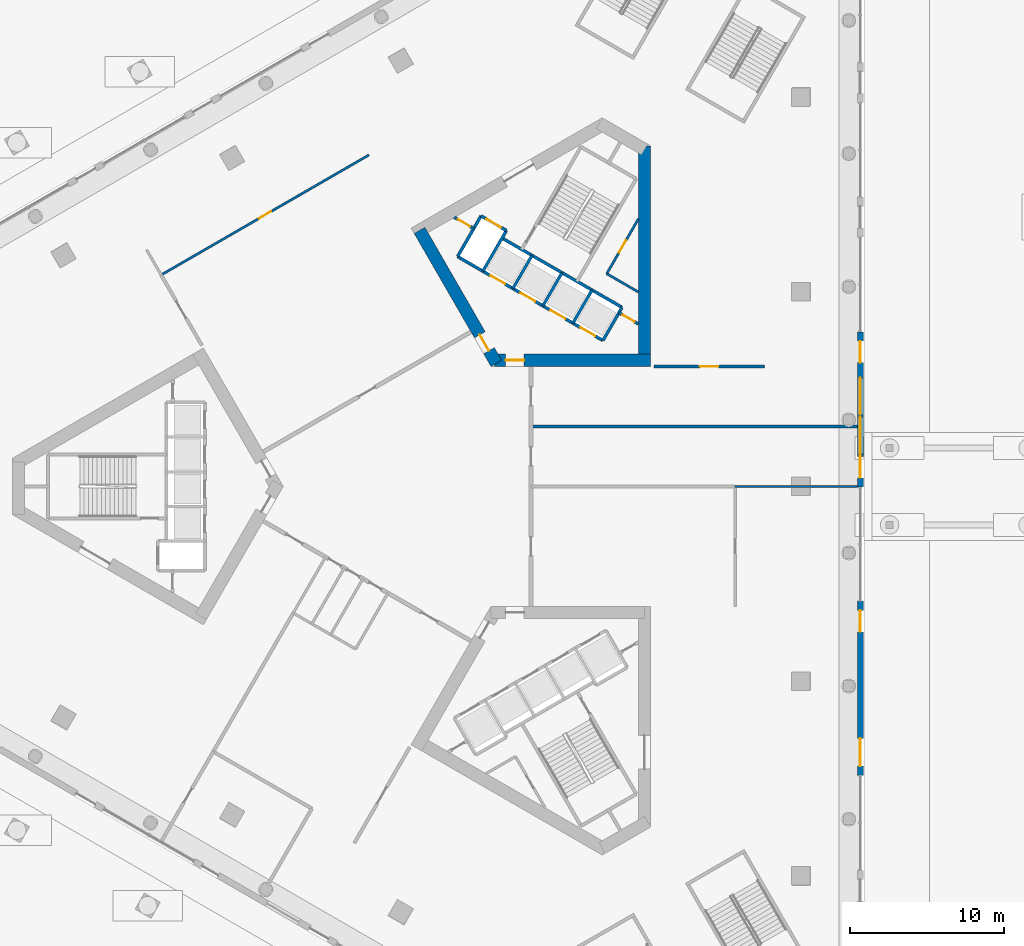
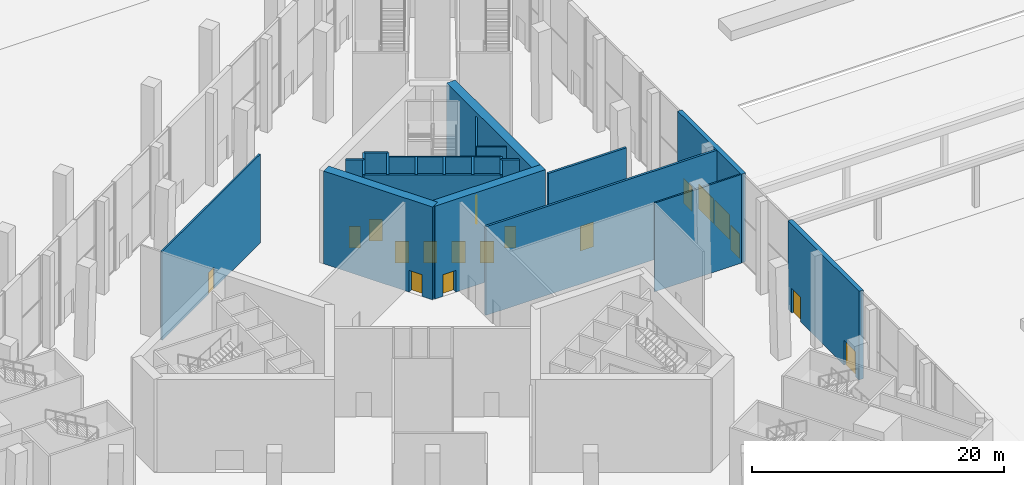
# One storey, part 29 of 63: 22 walls, 16 doors, 2 windows, 18 openings.
"""IFC4 building model written with IfcOpenShell, lengths in metres."""

from ifc_helpers import new_model, si_unit, direction, frame, frame_2d, origin, place, context, subcontext, project, spatial, rectangle, extrude, material, layer, layer_set, type_object, element, fill, save


model = new_model("IFC4")

# Units and contexts
model_context = context("Model", 3, precision=1e-05, world=origin(), true_north=direction((0.0, 1.0)))
body_context = subcontext(model_context, "Body", "Model", "MODEL_VIEW")
ifc_project = project(units=[si_unit("LENGTHUNIT", "METRE"), si_unit("AREAUNIT", "SQUARE_METRE"), si_unit("VOLUMEUNIT", "CUBIC_METRE"), si_unit("PLANEANGLEUNIT", "RADIAN"), si_unit("MASSUNIT", "GRAM", prefix="KILO")], contexts=[model_context])

# Site, building, storey
site_placement = place(None, origin())
site = spatial("IfcSite", under=ifc_project, at=site_placement, CompositionType="ELEMENT")
building_placement = place(site_placement, origin())
building = spatial("IfcBuilding", under=site, at=building_placement, Name="Jabali Bay Hotel Tower and Convention Centre", CompositionType="ELEMENT")
storey_placement = place(building_placement, origin())
storey = spatial("IfcBuildingStorey", under=building, at=storey_placement, Name="L00", CompositionType="ELEMENT", Elevation=0.0)

# Wall, opening, door
ifc_material_1 = material(Name="Concrete C40", Category="concrete")
ifc_layer_1 = layer(ifc_material_1, 0.199951171875)
ifc_layer_set_1 = layer_set([ifc_layer_1], Name="Concrete C40")
wall_type_1 = type_object("IfcWallType", Name="Core partition wall 200", PredefinedType="PARTITIONING", material=ifc_layer_set_1)
wall_1_placement = place(storey_placement, frame((89.080078125, 90.553955078125, 0.0), z_axis=(0.0, 0.0, 1.0), x_axis=(-0.866022048785, 0.500005810984, 0.0)))
wall_1 = element("IfcWall", 1, at=wall_1_placement, inside=storey, type_object=wall_type_1, Name="Core wall 1.11 L00", PredefinedType="PARTITIONING", context=body_context, shape_type="SweptSolid", body=[
    extrude(rectangle(XDim=1.466796875, YDim=0.199951171875, at=frame_2d((0.7333984375, 0.0))), origin(), (0.0, 0.0, 1.0), 8.60009765625),
])
opening_1_placement = place(wall_1_placement, frame((0.283447265625, 0.0, 0.0)))
opening_1 = element("IfcOpeningElement", 2, at=opening_1_placement, cuts=wall_1, Name="Opening D115", PredefinedType="OPENING", context=body_context, shape_type="SweptSolid", body=[
    extrude(rectangle(XDim=0.89990234375, YDim=2.10009765625, at=frame_2d((0.449951171875, 1.050048828125))), frame((0.0, 0.1103515625, 0.0), z_axis=(0.0, -1.0, 0.0), x_axis=(1.0, 0.0, 0.0)), (0.0, 0.0, 1.0), 0.220947265625),
])
ifc_material_2 = material(Name="Fire-rated steel door", Category="steel")
door_type_1 = type_object("IfcDoorType", Name="Vestibule fire door 900 x 2100", OperationType="NOTDEFINED", PredefinedType="NOTDEFINED", material=ifc_material_2)
door_1_placement = place(opening_1_placement, origin())
door_1 = element("IfcDoor", 3, at=door_1_placement, inside=storey, type_object=door_type_1, Name="Vestibule fire door D115", OperationType="SINGLE_SWING_LEFT", OverallHeight=2.10009765625, OverallWidth=0.89990234375, PredefinedType="NOTDEFINED", context=body_context, shape_type="SweptSolid", body=[
    extrude(rectangle(XDim=0.89990234375, YDim=2.10009765625, at=frame_2d((0.449951171875, 1.050048828125))), frame((0.0, 0.02490234375, 0.0), z_axis=(0.0, -1.0, 0.0), x_axis=(1.0, 0.0, 0.0)), (0.0, 0.0, 1.0), 0.050048828125),
])
fill(opening_1, door_1)

wall_2_placement = place(storey_placement, frame((78.380126953125, 96.754638671875, 0.0), z_axis=(0.0, 0.0, 1.0), x_axis=(-0.866003949776, 0.500037157592, 0.0)))
wall_2 = element("IfcWall", 4, at=wall_2_placement, inside=storey, type_object=wall_type_1, Name="Core wall 1.12 L00", PredefinedType="PARTITIONING", context=body_context, shape_type="SweptSolid", body=[
    extrude(rectangle(XDim=1.455078125, YDim=0.199951171875, at=frame_2d((0.7275390625, 0.0))), origin(), (0.0, 0.0, 1.0), 8.60009765625),
])
opening_2_placement = place(wall_2_placement, frame((0.277587890625, 0.0, 0.0)))
opening_2 = element("IfcOpeningElement", 5, at=opening_2_placement, cuts=wall_2, Name="Opening D114", PredefinedType="OPENING", context=body_context, shape_type="SweptSolid", body=[
    extrude(rectangle(XDim=0.89990234375, YDim=2.10009765625, at=frame_2d((0.449951171875, 1.050048828125))), frame((0.0, 0.1103515625, 0.0), z_axis=(0.0, -1.0, 0.0), x_axis=(1.0, 0.0, 0.0)), (0.0, 0.0, 1.0), 0.220947265625),
])
door_2_placement = place(opening_2_placement, origin())
door_2 = element("IfcDoor", 6, at=door_2_placement, inside=storey, type_object=door_type_1, Name="Vestibule fire door D114", OperationType="SINGLE_SWING_LEFT", OverallHeight=2.10009765625, OverallWidth=0.89990234375, PredefinedType="NOTDEFINED", context=body_context, shape_type="SweptSolid", body=[
    extrude(rectangle(XDim=0.89990234375, YDim=2.10009765625, at=frame_2d((0.449951171875, 1.050048828125))), frame((0.0, 0.02490234375, 0.0), z_axis=(0.0, -1.0, 0.0), x_axis=(1.0, 0.0, 0.0)), (0.0, 0.0, 1.0), 0.050048828125),
])
fill(opening_2, door_2)

ifc_material_3 = material(Name="Fire-rated board partition")
ifc_layer_2 = layer(ifc_material_3, 0.14990234375)
ifc_layer_set_2 = layer_set([ifc_layer_2], Name="Fire-rated board partition")
wall_type_2 = type_object("IfcWallType", Name="Core room partition 150", PredefinedType="PARTITIONING", material=ifc_layer_set_2)
wall_3_placement = place(storey_placement, frame((87.02099609375, 93.821044921875, 0.0), z_axis=(0.0, 0.0, 1.0), x_axis=(0.500028662945, 0.866008854593, 0.0)))
wall_3 = element("IfcWall", 7, at=wall_3_placement, inside=storey, type_object=wall_type_2, Name="Core wall 1.1 L00", PredefinedType="PARTITIONING", context=body_context, shape_type="SweptSolid", body=[
    extrude(rectangle(XDim=4.117919921875, YDim=0.14990234375, at=frame_2d((2.05908203125, 0.0))), origin(), (0.0, 0.0, 1.0), 8.60009765625),
])
opening_3_placement = place(wall_3_placement, frame((1.58154296875, 0.0, 0.0)))
opening_3 = element("IfcOpeningElement", 8, at=opening_3_placement, cuts=wall_3, Name="Opening D117", PredefinedType="OPENING", context=body_context, shape_type="SweptSolid", body=[
    extrude(rectangle(XDim=0.89990234375, YDim=2.10009765625, at=frame_2d((0.449951171875, 1.050048828125))), frame((0.0, 0.08544921875, 0.0), z_axis=(0.0, -1.0, 0.0), x_axis=(1.0, 0.0, 0.0)), (0.0, 0.0, 1.0), 0.1708984375),
])
door_type_2 = type_object("IfcDoorType", Name="Core room door 900 x 2100", OperationType="NOTDEFINED", PredefinedType="NOTDEFINED", material=ifc_material_2)
door_3_placement = place(opening_3_placement, origin())
door_3 = element("IfcDoor", 9, at=door_3_placement, inside=storey, type_object=door_type_2, Name="Core room door D117", OperationType="SINGLE_SWING_LEFT", OverallHeight=2.10009765625, OverallWidth=0.89990234375, PredefinedType="NOTDEFINED", context=body_context, shape_type="SweptSolid", body=[
    extrude(rectangle(XDim=0.89990234375, YDim=2.10009765625, at=frame_2d((0.449951171875, 1.050048828125))), frame((0.0, 0.02490234375, 0.0), z_axis=(0.0, -1.0, 0.0), x_axis=(1.0, 0.0, 0.0)), (0.0, 0.0, 1.0), 0.050048828125),
])
fill(opening_3, door_3)

# Walls
wall_4_placement = place(storey_placement, frame((89.080078125, 92.63232421875, 0.0), z_axis=(0.0, 0.0, 1.0), x_axis=(-0.866041951395, 0.499971337603, 0.0)))
element("IfcWall", 10, at=wall_4_placement, inside=storey, type_object=wall_type_2, Name="Core wall 1.15 L00", PredefinedType="PARTITIONING", context=body_context, shape_type="SweptSolid", body=[
    extrude(rectangle(XDim=2.377685546875, YDim=0.14990234375, at=frame_2d((1.18896484375, 0.0))), origin(), (0.0, 0.0, 1.0), 8.60009765625),
])
ifc_layer_3 = layer(ifc_material_1, 0.199951171875)
ifc_layer_set_3 = layer_set([ifc_layer_3], Name="Concrete C40")
wall_type_3 = type_object("IfcWallType", Name="Core stair wall 200", PredefinedType="SOLIDWALL", material=ifc_layer_set_3)
for number, where, z_axis, x_axis, name in (
    (11, (86.769775390625, 89.48583984375, 0.0), (0.0, 0.0, 1.0), (0.499961042966, 0.86604789447, 0.0), "Core wall 1.0 L00"),
    (12, (84.8212890625, 90.61083984375, 0.0), (0.0, 0.0, 1.0), (0.499961042966, 0.86604789447, 0.0), "Core wall 1.2 L00"),
    (13, (82.872802734375, 91.73583984375, 0.0), (0.0, 0.0, 1.0), (0.499961042966, 0.86604789447, 0.0), "Core wall 1.4 L00"),
    (14, (80.924072265625, 92.86083984375, 0.0), (0.0, 0.0, 1.0), (0.499961042966, 0.86604789447, 0.0), "Core wall 1.6 L00"),
):
    element("IfcWall", number, at=place(storey_placement, frame(where, z_axis=z_axis, x_axis=x_axis)), inside=storey, type_object=wall_type_3, Name=name, PredefinedType="SOLIDWALL", context=body_context, shape_type="SweptSolid", body=[
        extrude(rectangle(XDim=2.480224609375, YDim=0.199951171875, at=frame_2d((1.240234375, 0.0))), origin(), (0.0, 0.0, 1.0), 8.60009765625),
    ])
for number, where, z_axis, x_axis, name in (
    (15, (78.9755859375, 93.98583984375, 0.0), (0.0, 0.0, 1.0), (0.499944174705, 0.866057632134, 0.0), "Core wall 1.8 L00"),
    (16, (77.330078125, 94.93603515625, 0.0), (0.0, 0.0, 1.0), (0.500038867431, 0.8660029625, 0.0), "Core wall 1.9 L00"),
):
    element("IfcWall", number, at=place(storey_placement, frame(where, z_axis=z_axis, x_axis=x_axis)), inside=storey, type_object=wall_type_3, Name=name, PredefinedType="SOLIDWALL", context=body_context, shape_type="SweptSolid", body=[
        extrude(rectangle(XDim=3.050048828125, YDim=0.199951171875, at=frame_2d((1.52490234375, 0.0))), origin(), (0.0, 0.0, 1.0), 8.60009765625),
    ])

# Wall, openings, doors
wall_5_placement = place(storey_placement, frame((86.769775390625, 89.48583984375, 0.0), z_axis=(0.0, 0.0, 1.0), x_axis=(-0.86601811187, 0.500012629753, 0.0)))
wall_5 = element("IfcWall", 17, at=wall_5_placement, inside=storey, type_object=wall_type_3, Name="Core wall 1.10 L00", PredefinedType="SOLIDWALL", context=body_context, shape_type="SweptSolid", body=[
    extrude(rectangle(XDim=10.900146484375, YDim=0.199951171875, at=frame_2d((5.4501953125, 0.0))), origin(), (0.0, 0.0, 1.0), 8.60009765625),
])
opening_4_placement = place(wall_5_placement, frame((0.574951171875, 0.0, 0.0)))
opening_4 = element("IfcOpeningElement", 18, at=opening_4_placement, cuts=wall_5, Name="Opening LD6-L00", PredefinedType="OPENING", context=body_context, shape_type="SweptSolid", body=[
    extrude(rectangle(XDim=1.10009765625, YDim=2.10009765625, at=frame_2d((0.550048828125, 1.050048828125))), frame((0.0, 0.1103515625, 0.0), z_axis=(0.0, -1.0, 0.0), x_axis=(1.0, 0.0, 0.0)), (0.0, 0.0, 1.0), 0.220947265625),
])
opening_5_placement = place(wall_5_placement, frame((2.824951171875, 0.0, 0.0)))
opening_5 = element("IfcOpeningElement", 19, at=opening_5_placement, cuts=wall_5, Name="Opening LD7-L00", PredefinedType="OPENING", context=body_context, shape_type="SweptSolid", body=[
    extrude(rectangle(XDim=1.10009765625, YDim=2.10009765625, at=frame_2d((0.550048828125, 1.050048828125))), frame((0.0, 0.1103515625, 0.0), z_axis=(0.0, -1.0, 0.0), x_axis=(1.0, 0.0, 0.0)), (0.0, 0.0, 1.0), 0.220947265625),
])
opening_6_placement = place(wall_5_placement, frame((5.074951171875, 0.0, 0.0)))
opening_6 = element("IfcOpeningElement", 20, at=opening_6_placement, cuts=wall_5, Name="Opening LD8-L00", PredefinedType="OPENING", context=body_context, shape_type="SweptSolid", body=[
    extrude(rectangle(XDim=1.10009765625, YDim=2.10009765625, at=frame_2d((0.550048828125, 1.050048828125))), frame((0.0, 0.1103515625, 0.0), z_axis=(0.0, -1.0, 0.0), x_axis=(1.0, 0.0, 0.0)), (0.0, 0.0, 1.0), 0.220947265625),
])
opening_7_placement = place(wall_5_placement, frame((7.324951171875, 0.0, 0.0)))
opening_7 = element("IfcOpeningElement", 21, at=opening_7_placement, cuts=wall_5, Name="Opening LD9-L00", PredefinedType="OPENING", context=body_context, shape_type="SweptSolid", body=[
    extrude(rectangle(XDim=1.10009765625, YDim=2.10009765625, at=frame_2d((0.550048828125, 1.050048828125))), frame((0.0, 0.1103515625, 0.0), z_axis=(0.0, -1.0, 0.0), x_axis=(1.0, 0.0, 0.0)), (0.0, 0.0, 1.0), 0.220947265625),
])
ifc_material_4 = material(Name="Stainless steel landing door", Category="steel")
door_type_3 = type_object("IfcDoorType", Name="Landing door 1100 x 2100", OperationType="NOTDEFINED", PredefinedType="NOTDEFINED", material=ifc_material_4)
door_4_placement = place(opening_4_placement, origin())
door_4 = element("IfcDoor", 22, at=door_4_placement, inside=storey, type_object=door_type_3, Name="Landing doors LD6-L00", OperationType="SLIDING_TO_RIGHT", OverallHeight=2.10009765625, OverallWidth=1.10009765625, PredefinedType="NOTDEFINED", context=body_context, shape_type="SweptSolid", body=[
    extrude(rectangle(XDim=1.10009765625, YDim=2.10009765625, at=frame_2d((0.550048828125, 1.050048828125))), frame((0.0, 0.02490234375, 0.0), z_axis=(0.0, -1.0, 0.0), x_axis=(1.0, 0.0, 0.0)), (0.0, 0.0, 1.0), 0.050048828125),
])
fill(opening_4, door_4)
door_5_placement = place(opening_5_placement, origin())
door_5 = element("IfcDoor", 23, at=door_5_placement, inside=storey, type_object=door_type_3, Name="Landing doors LD7-L00", OperationType="SLIDING_TO_LEFT", OverallHeight=2.10009765625, OverallWidth=1.10009765625, PredefinedType="NOTDEFINED", context=body_context, shape_type="SweptSolid", body=[
    extrude(rectangle(XDim=1.10009765625, YDim=2.10009765625, at=frame_2d((0.550048828125, 1.050048828125))), frame((0.0, 0.02490234375, 0.0), z_axis=(0.0, -1.0, 0.0), x_axis=(1.0, 0.0, 0.0)), (0.0, 0.0, 1.0), 0.050048828125),
])
fill(opening_5, door_5)
door_6_placement = place(opening_6_placement, origin())
door_6 = element("IfcDoor", 24, at=door_6_placement, inside=storey, type_object=door_type_3, Name="Landing doors LD8-L00", OperationType="SLIDING_TO_RIGHT", OverallHeight=2.10009765625, OverallWidth=1.10009765625, PredefinedType="NOTDEFINED", context=body_context, shape_type="SweptSolid", body=[
    extrude(rectangle(XDim=1.10009765625, YDim=2.10009765625, at=frame_2d((0.550048828125, 1.050048828125))), frame((0.0, 0.02490234375, 0.0), z_axis=(0.0, -1.0, 0.0), x_axis=(1.0, 0.0, 0.0)), (0.0, 0.0, 1.0), 0.050048828125),
])
fill(opening_6, door_6)
door_7_placement = place(opening_7_placement, origin())
door_7 = element("IfcDoor", 25, at=door_7_placement, inside=storey, type_object=door_type_3, Name="Landing doors LD9-L00", OperationType="SLIDING_TO_LEFT", OverallHeight=2.10009765625, OverallWidth=1.10009765625, PredefinedType="NOTDEFINED", context=body_context, shape_type="SweptSolid", body=[
    extrude(rectangle(XDim=1.10009765625, YDim=2.10009765625, at=frame_2d((0.550048828125, 1.050048828125))), frame((0.0, 0.02490234375, 0.0), z_axis=(0.0, -1.0, 0.0), x_axis=(1.0, 0.0, 0.0)), (0.0, 0.0, 1.0), 0.050048828125),
])
fill(opening_7, door_7)

# Wall
wall_6_placement = place(storey_placement, frame((88.009765625, 91.6337890625, 0.0), z_axis=(0.0, 0.0, 1.0), x_axis=(-0.866024315419, 0.5000018851, 0.0)))
element("IfcWall", 26, at=wall_6_placement, inside=storey, type_object=wall_type_3, Name="Core wall 1.13 L00", PredefinedType="SOLIDWALL", context=body_context, shape_type="SweptSolid", body=[
    extrude(rectangle(XDim=9.0, YDim=0.199951171875, at=frame_2d((4.5, 0.0))), origin(), (0.0, 0.0, 1.0), 8.60009765625),
])

# Wall, opening, door
wall_7_placement = place(storey_placement, frame((80.50048828125, 96.62744140625, 0.0), z_axis=(0.0, 0.0, 1.0), x_axis=(-0.86601224135, 0.500022797313, 0.0)))
wall_7 = element("IfcWall", 27, at=wall_7_placement, inside=storey, type_object=wall_type_3, Name="Core wall 1.14 L00", PredefinedType="SOLIDWALL", context=body_context, shape_type="SweptSolid", body=[
    extrude(rectangle(XDim=1.89990234375, YDim=0.199951171875, at=frame_2d((0.949951171875, 0.0))), origin(), (0.0, 0.0, 1.0), 8.60009765625),
])
opening_8_placement = place(wall_7_placement, frame((0.39990234375, 0.0, 0.0)))
opening_8 = element("IfcOpeningElement", 28, at=opening_8_placement, cuts=wall_7, Name="Opening LD10-L00", PredefinedType="OPENING", context=body_context, shape_type="SweptSolid", body=[
    extrude(rectangle(XDim=1.10009765625, YDim=2.10009765625, at=frame_2d((0.550048828125, 1.050048828125))), frame((0.0, 0.1103515625, 0.0), z_axis=(0.0, -1.0, 0.0), x_axis=(1.0, 0.0, 0.0)), (0.0, 0.0, 1.0), 0.220947265625),
])
door_8_placement = place(opening_8_placement, origin())
door_8 = element("IfcDoor", 29, at=door_8_placement, inside=storey, type_object=door_type_3, Name="Landing doors LD10-L00", OperationType="SLIDING_TO_RIGHT", OverallHeight=2.10009765625, OverallWidth=1.10009765625, PredefinedType="NOTDEFINED", context=body_context, shape_type="SweptSolid", body=[
    extrude(rectangle(XDim=1.10009765625, YDim=2.10009765625, at=frame_2d((0.550048828125, 1.050048828125))), frame((0.0, 0.02490234375, 0.0), z_axis=(0.0, -1.0, 0.0), x_axis=(1.0, 0.0, 0.0)), (0.0, 0.0, 1.0), 0.050048828125),
])
fill(opening_8, door_8)

ifc_material_5 = material(Name="Concrete C60", Category="concrete")
ifc_layer_4 = layer(ifc_material_5, 0.800048828125)
ifc_layer_set_4 = layer_set([ifc_layer_4], Name="Concrete C60")
wall_type_4 = type_object("IfcWallType", Name="Core wall 800", PredefinedType="SHEAR", material=ifc_layer_set_4)
wall_8_placement = place(storey_placement, frame((79.73095703125, 88.1943359375, 0.0), z_axis=(0.0, 0.0, 1.0), x_axis=(1.0, 0.0, 0.0)))
wall_8 = element("IfcWall", 30, at=wall_8_placement, inside=storey, type_object=wall_type_4, Name="Core wall 2.1 L00", PredefinedType="SHEAR", context=body_context, shape_type="SweptSolid", body=[
    extrude(rectangle(XDim=10.14892578125, YDim=0.800048828125, at=frame_2d((5.074462890625, 0.0))), origin(), (0.0, 0.0, 1.0), 9.0),
])
opening_9_placement = place(wall_8_placement, frame((0.718994140625, 0.0, 0.0)))
opening_9 = element("IfcOpeningElement", 31, at=opening_9_placement, cuts=wall_8, Name="Opening D112", PredefinedType="OPENING", context=body_context, shape_type="SweptSolid", body=[
    extrude(rectangle(XDim=1.199951171875, YDim=2.10009765625, at=frame_2d((0.60009765625, 1.050048828125))), frame((0.0, 0.41064453125, 0.0), z_axis=(0.0, -1.0, 0.0), x_axis=(1.0, 0.0, 0.0)), (0.0, 0.0, 1.0), 0.821044921875),
])
door_type_4 = type_object("IfcDoorType", Name="Corridor end fire door 1200 x 2100", OperationType="NOTDEFINED", PredefinedType="NOTDEFINED", material=ifc_material_2)
door_9_placement = place(opening_9_placement, origin())
door_9 = element("IfcDoor", 32, at=door_9_placement, inside=storey, type_object=door_type_4, Name="Corridor end fire door D112", OperationType="SINGLE_SWING_RIGHT", OverallHeight=2.10009765625, OverallWidth=1.199951171875, PredefinedType="NOTDEFINED", context=body_context, shape_type="SweptSolid", body=[
    extrude(rectangle(XDim=1.199951171875, YDim=2.10009765625, at=frame_2d((0.60009765625, 1.050048828125))), frame((0.0, 0.02490234375, 0.0), z_axis=(0.0, -1.0, 0.0), x_axis=(1.0, 0.0, 0.0)), (0.0, 0.0, 1.0), 0.050048828125),
])
fill(opening_9, door_9)

# Wall
wall_9_placement = place(storey_placement, frame((89.47998046875, 88.1943359375, 0.0), z_axis=(0.0, 0.0, 1.0), x_axis=(0.0, 1.0, 0.0)))
element("IfcWall", 33, at=wall_9_placement, inside=storey, type_object=wall_type_4, Name="Core wall 2.2 L00", PredefinedType="SHEAR", context=body_context, shape_type="SweptSolid", body=[
    extrude(rectangle(XDim=13.933349609375, YDim=0.800048828125, at=frame_2d((6.966796875, 0.0))), origin(), (0.0, 0.0, 1.0), 9.0),
])

# Wall, opening, door
wall_10_placement = place(storey_placement, frame((74.8564453125, 96.63720703125, 0.0), z_axis=(0.0, 0.0, 1.0), x_axis=(0.499993500917, -0.866029155999, 0.0)))
wall_10 = element("IfcWall", 34, at=wall_10_placement, inside=storey, type_object=wall_type_4, Name="Core wall 2.5 L00", PredefinedType="SHEAR", context=body_context, shape_type="SweptSolid", body=[
    extrude(rectangle(XDim=9.980224609375, YDim=0.800048828125, at=frame_2d((4.990234375, 0.0))), origin(), (0.0, 0.0, 1.0), 9.0),
])
opening_10_placement = place(wall_10_placement, frame((7.830078125, 0.0, 0.0)))
opening_10 = element("IfcOpeningElement", 35, at=opening_10_placement, cuts=wall_10, Name="Opening D113", PredefinedType="OPENING", context=body_context, shape_type="SweptSolid", body=[
    extrude(rectangle(XDim=1.199951171875, YDim=2.10009765625, at=frame_2d((0.60009765625, 1.050048828125))), frame((0.0, 0.41064453125, 0.0), z_axis=(0.0, -1.0, 0.0), x_axis=(1.0, 0.0, 0.0)), (0.0, 0.0, 1.0), 0.821044921875),
])
door_10_placement = place(opening_10_placement, origin())
door_10 = element("IfcDoor", 36, at=door_10_placement, inside=storey, type_object=door_type_4, Name="Corridor end fire door D113", OperationType="SINGLE_SWING_LEFT", OverallHeight=2.10009765625, OverallWidth=1.199951171875, PredefinedType="NOTDEFINED", context=body_context, shape_type="SweptSolid", body=[
    extrude(rectangle(XDim=1.199951171875, YDim=2.10009765625, at=frame_2d((0.60009765625, 1.050048828125))), frame((0.0, 0.02490234375, 0.0), z_axis=(0.0, -1.0, 0.0), x_axis=(1.0, 0.0, 0.0)), (0.0, 0.0, 1.0), 0.050048828125),
])
fill(opening_10, door_10)

# Wall
ifc_material_6 = material(Name="Plasterboard on steel stud", Category="steel")
ifc_layer_5 = layer(ifc_material_6, 0.14990234375)
ifc_layer_set_5 = layer_set([ifc_layer_5], Name="Plasterboard on steel stud")
wall_type_5 = type_object("IfcWallType", Name="Partition 150 wet", PredefinedType="PARTITIONING", material=ifc_layer_set_5)
wall_11_placement = place(storey_placement, frame((103.301025390625, 80.0, 0.0), z_axis=(0.0, 0.0, 1.0), x_axis=(-1.0, 0.0, 0.0)))
element("IfcWall", 37, at=wall_11_placement, inside=storey, type_object=wall_type_5, Name="Partition P03 L00 003", PredefinedType="PARTITIONING", context=body_context, shape_type="SweptSolid", body=[
    extrude(rectangle(XDim=7.953125, YDim=0.14990234375, at=frame_2d((3.9765625, 0.0))), origin(), (0.0, 0.0, 1.0), 8.60009765625),
])

# Wall, opening, door
wall_12_placement = place(storey_placement, frame((71.56591796875, 101.536376953125, 0.0), z_axis=(0.0, 0.0, 1.0), x_axis=(-0.866026492143, -0.499998114903, 0.0)))
wall_12 = element("IfcWall", 38, at=wall_12_placement, inside=storey, type_object=wall_type_5, Name="Partition P03 L00 006", PredefinedType="PARTITIONING", context=body_context, shape_type="SweptSolid", body=[
    extrude(rectangle(XDim=15.58837890625, YDim=0.14990234375, at=frame_2d((7.794189453125, 0.0))), origin(), (0.0, 0.0, 1.0), 8.60009765625),
])
opening_11_placement = place(wall_12_placement, frame((7.343994140625, 0.0, 0.0)))
opening_11 = element("IfcOpeningElement", 39, at=opening_11_placement, cuts=wall_12, Name="Opening 0006", PredefinedType="OPENING", context=body_context, shape_type="SweptSolid", body=[
    extrude(rectangle(XDim=0.89990234375, YDim=2.10009765625, at=frame_2d((0.449951171875, 1.050048828125))), frame((0.0, 0.08544921875, 0.0), z_axis=(0.0, -1.0, 0.0), x_axis=(1.0, 0.0, 0.0)), (0.0, 0.0, 1.0), 0.1708984375),
])
ifc_material_7 = material(Name="Timber", Category="wood")
door_type_5 = type_object("IfcDoorType", Name="Internal door 900 x 2100", OperationType="NOTDEFINED", PredefinedType="NOTDEFINED", material=ifc_material_7)
door_11_placement = place(opening_11_placement, origin())
door_11 = element("IfcDoor", 40, at=door_11_placement, inside=storey, type_object=door_type_5, Name="Door 0006", OperationType="SINGLE_SWING_LEFT", OverallHeight=2.10009765625, OverallWidth=0.89990234375, PredefinedType="NOTDEFINED", context=body_context, shape_type="SweptSolid", body=[
    extrude(rectangle(XDim=0.89990234375, YDim=2.10009765625, at=frame_2d((0.449951171875, 1.050048828125))), frame((0.0, 0.02490234375, 0.0), z_axis=(0.0, -1.0, 0.0), x_axis=(1.0, 0.0, 0.0)), (0.0, 0.0, 1.0), 0.050048828125),
])
fill(opening_11, door_11)

# Wall
ifc_layer_6 = layer(ifc_material_6, 0.199951171875)
ifc_layer_set_6 = layer_set([ifc_layer_6], Name="Plasterboard on steel stud")
wall_type_6 = type_object("IfcWallType", Name="Partition 200 party", PredefinedType="PARTITIONING", material=ifc_layer_set_6)
wall_13_placement = place(storey_placement, frame((103.301025390625, 83.897216796875, 0.0), z_axis=(0.0, 0.0, 1.0), x_axis=(-1.0, 0.0, 0.0)))
element("IfcWall", 41, at=wall_13_placement, inside=storey, type_object=wall_type_6, Name="Partition P01 L00 004", PredefinedType="PARTITIONING", context=body_context, shape_type="SweptSolid", body=[
    extrude(rectangle(XDim=21.200927734375, YDim=0.199951171875, at=frame_2d((10.6005859375, 0.0))), origin(), (0.0, 0.0, 1.0), 8.60009765625),
])

# Wall, opening, door
wall_14_placement = place(storey_placement, frame((97.255615234375, 87.794189453125, 0.0), z_axis=(0.0, 0.0, 1.0), x_axis=(-1.0, 0.0, 0.0)))
wall_14 = element("IfcWall", 42, at=wall_14_placement, inside=storey, type_object=wall_type_6, Name="Partition P01 L00 005", PredefinedType="PARTITIONING", context=body_context, shape_type="SweptSolid", body=[
    extrude(rectangle(XDim=7.176513671875, YDim=0.199951171875, at=frame_2d((3.58837890625, 0.0))), origin(), (0.0, 0.0, 1.0), 8.60009765625),
])
opening_12_placement = place(wall_14_placement, frame((2.988037109375, 0.0, 0.0)))
opening_12 = element("IfcOpeningElement", 43, at=opening_12_placement, cuts=wall_14, Name="Opening 0013", PredefinedType="OPENING", context=body_context, shape_type="SweptSolid", body=[
    extrude(rectangle(XDim=1.199951171875, YDim=2.39990234375, at=frame_2d((0.60009765625, 1.199951171875))), frame((0.0, 0.1103515625, 0.0), z_axis=(0.0, -1.0, 0.0), x_axis=(1.0, 0.0, 0.0)), (0.0, 0.0, 1.0), 0.220947265625),
])
door_type_6 = type_object("IfcDoorType", Name="Public room door 1200 x 2400", OperationType="NOTDEFINED", PredefinedType="NOTDEFINED", material=ifc_material_7)
door_12_placement = place(opening_12_placement, origin())
door_12 = element("IfcDoor", 44, at=door_12_placement, inside=storey, type_object=door_type_6, Name="Door 0013", OperationType="SINGLE_SWING_LEFT", OverallHeight=2.39990234375, OverallWidth=1.199951171875, PredefinedType="NOTDEFINED", context=body_context, shape_type="SweptSolid", body=[
    extrude(rectangle(XDim=1.199951171875, YDim=2.39990234375, at=frame_2d((0.60009765625, 1.199951171875))), frame((0.0, 0.02490234375, 0.0), z_axis=(0.0, -1.0, 0.0), x_axis=(1.0, 0.0, 0.0)), (0.0, 0.0, 1.0), 0.050048828125),
])
fill(opening_12, door_12)

# Wall, openings, doors
ifc_layer_7 = layer(ifc_material_1, 0.39990234375)
ifc_layer_set_7 = layer_set([ifc_layer_7], Name="Concrete C40")
wall_type_7 = type_object("IfcWallType", Name="Podium external wall 400", PredefinedType="SOLIDWALL", material=ifc_layer_set_7)
wall_15_placement = place(storey_placement, frame((103.5, 72.552490234375, 0.0), z_axis=(0.0, 0.0, 1.0), x_axis=(0.0, -1.0, 0.0)))
wall_15 = element("IfcWall", 45, at=wall_15_placement, inside=storey, type_object=wall_type_7, Name="External wall east face L00", PredefinedType="SOLIDWALL", context=body_context, shape_type="SweptSolid", body=[
    extrude(rectangle(XDim=11.326904296875, YDim=0.39990234375, at=frame_2d((5.66357421875, 0.0))), origin(), (0.0, 0.0, 1.0), 8.60009765625),
])
opening_13_placement = place(wall_15_placement, frame((8.927001953125, 0.0, 0.0)))
opening_13 = element("IfcOpeningElement", 46, at=opening_13_placement, cuts=wall_15, Name="Opening ED3", PredefinedType="OPENING", context=body_context, shape_type="SweptSolid", body=[
    extrude(rectangle(XDim=1.800048828125, YDim=2.39990234375, at=frame_2d((0.89990234375, 1.199951171875))), frame((0.0, 0.21044921875, 0.0), z_axis=(0.0, -1.0, 0.0), x_axis=(1.0, 0.0, 0.0)), (0.0, 0.0, 1.0), 0.4208984375),
])
opening_14_placement = place(wall_15_placement, frame((0.60009765625, 0.0, 0.0)))
opening_14 = element("IfcOpeningElement", 47, at=opening_14_placement, cuts=wall_15, Name="Opening ED2", PredefinedType="OPENING", context=body_context, shape_type="SweptSolid", body=[
    extrude(rectangle(XDim=1.39990234375, YDim=2.39990234375, at=frame_2d((0.699951171875, 1.199951171875))), frame((0.0, 0.21044921875, 0.0), z_axis=(0.0, -1.0, 0.0), x_axis=(1.0, 0.0, 0.0)), (0.0, 0.0, 1.0), 0.4208984375),
])
ifc_material_8 = material(Name="Glass", Category="glass")
door_type_7 = type_object("IfcDoorType", Name="Entrance door 1400 x 2400", OperationType="NOTDEFINED", PredefinedType="NOTDEFINED", material=ifc_material_8)
door_13_placement = place(opening_14_placement, origin())
door_13 = element("IfcDoor", 48, at=door_13_placement, inside=storey, type_object=door_type_7, Name="Entrance door", OperationType="SINGLE_SWING_RIGHT", OverallHeight=2.39990234375, OverallWidth=1.39990234375, PredefinedType="NOTDEFINED", context=body_context, shape_type="SweptSolid", body=[
    extrude(rectangle(XDim=1.39990234375, YDim=2.39990234375, at=frame_2d((0.699951171875, 1.199951171875))), frame((0.0, 0.02490234375, 0.0), z_axis=(0.0, -1.0, 0.0), x_axis=(1.0, 0.0, 0.0)), (0.0, 0.0, 1.0), 0.050048828125),
])
fill(opening_14, door_13)
ifc_material_9 = material(Name="Steel Q355B", Category="steel")
door_type_8 = type_object("IfcDoorType", Name="Stair exit door 1800 x 2400", OperationType="NOTDEFINED", PredefinedType="NOTDEFINED", material=ifc_material_9)
door_14_placement = place(opening_13_placement, origin())
door_14 = element("IfcDoor", 49, at=door_14_placement, inside=storey, type_object=door_type_8, Name="Stair ST3 exit door", OperationType="DOUBLE_DOOR_SINGLE_SWING", OverallHeight=2.39990234375, OverallWidth=1.800048828125, PredefinedType="NOTDEFINED", context=body_context, shape_type="SweptSolid", body=[
    extrude(rectangle(XDim=1.800048828125, YDim=2.39990234375, at=frame_2d((0.89990234375, 1.199951171875))), frame((0.0, 0.02490234375, 0.0), z_axis=(0.0, -1.0, 0.0), x_axis=(1.0, 0.0, 0.0)), (0.0, 0.0, 1.0), 0.050048828125),
])
fill(opening_13, door_14)

# Wall, openings, doors, windows
wall_16_placement = place(storey_placement, frame((103.5, 90.04736328125, 0.0), z_axis=(0.0, 0.0, 1.0), x_axis=(0.0, -1.0, 0.0)))
wall_16 = element("IfcWall", 50, at=wall_16_placement, inside=storey, type_object=wall_type_7, Name="External wall east face L00", PredefinedType="SOLIDWALL", context=body_context, shape_type="SweptSolid", body=[
    extrude(rectangle(XDim=10.097412109375, YDim=0.39990234375, at=frame_2d((5.048828125, 0.0))), origin(), (0.0, 0.0, 1.0), 8.60009765625),
])
opening_15_placement = place(wall_16_placement, frame((8.097412109375, 0.0, 0.0)))
opening_15 = element("IfcOpeningElement", 51, at=opening_15_placement, cuts=wall_16, Name="Opening ED2", PredefinedType="OPENING", context=body_context, shape_type="SweptSolid", body=[
    extrude(rectangle(XDim=1.39990234375, YDim=2.39990234375, at=frame_2d((0.699951171875, 1.199951171875))), frame((0.0, 0.21044921875, 0.0), z_axis=(0.0, -1.0, 0.0), x_axis=(1.0, 0.0, 0.0)), (0.0, 0.0, 1.0), 0.4208984375),
])
opening_16_placement = place(wall_16_placement, frame((0.60009765625, 0.0, 0.0)))
opening_16 = element("IfcOpeningElement", 52, at=opening_16_placement, cuts=wall_16, Name="Opening ED2", PredefinedType="OPENING", context=body_context, shape_type="SweptSolid", body=[
    extrude(rectangle(XDim=1.39990234375, YDim=2.39990234375, at=frame_2d((0.699951171875, 1.199951171875))), frame((0.0, 0.21044921875, 0.0), z_axis=(0.0, -1.0, 0.0), x_axis=(1.0, 0.0, 0.0)), (0.0, 0.0, 1.0), 0.4208984375),
])
opening_17_placement = place(wall_16_placement, frame((3.001708984375, 0.0, 0.89990234375)))
opening_17 = element("IfcOpeningElement", 53, at=opening_17_placement, cuts=wall_16, Name="Opening W3", PredefinedType="OPENING", context=body_context, shape_type="SweptSolid", body=[
    extrude(rectangle(XDim=2.39990234375, YDim=2.39990234375, at=frame_2d((1.199951171875, 1.199951171875))), frame((0.0, 0.21044921875, 0.0), z_axis=(0.0, -1.0, 0.0), x_axis=(1.0, 0.0, 0.0)), (0.0, 0.0, 1.0), 0.4208984375),
])
opening_18_placement = place(wall_16_placement, frame((5.54736328125, 0.0, 0.89990234375)))
opening_18 = element("IfcOpeningElement", 54, at=opening_18_placement, cuts=wall_16, Name="Opening W3", PredefinedType="OPENING", context=body_context, shape_type="SweptSolid", body=[
    extrude(rectangle(XDim=2.39990234375, YDim=2.39990234375, at=frame_2d((1.199951171875, 1.199951171875))), frame((0.0, 0.21044921875, 0.0), z_axis=(0.0, -1.0, 0.0), x_axis=(1.0, 0.0, 0.0)), (0.0, 0.0, 1.0), 0.4208984375),
])
door_15_placement = place(opening_15_placement, origin())
door_15 = element("IfcDoor", 55, at=door_15_placement, inside=storey, type_object=door_type_7, Name="Entrance door", OperationType="SINGLE_SWING_LEFT", OverallHeight=2.39990234375, OverallWidth=1.39990234375, PredefinedType="NOTDEFINED", context=body_context, shape_type="SweptSolid", body=[
    extrude(rectangle(XDim=1.39990234375, YDim=2.39990234375, at=frame_2d((0.699951171875, 1.199951171875))), frame((0.0, 0.02490234375, 0.0), z_axis=(0.0, -1.0, 0.0), x_axis=(1.0, 0.0, 0.0)), (0.0, 0.0, 1.0), 0.050048828125),
])
fill(opening_15, door_15)
door_16_placement = place(opening_16_placement, origin())
door_16 = element("IfcDoor", 56, at=door_16_placement, inside=storey, type_object=door_type_7, Name="Entrance door", OperationType="SINGLE_SWING_RIGHT", OverallHeight=2.39990234375, OverallWidth=1.39990234375, PredefinedType="NOTDEFINED", context=body_context, shape_type="SweptSolid", body=[
    extrude(rectangle(XDim=1.39990234375, YDim=2.39990234375, at=frame_2d((0.699951171875, 1.199951171875))), frame((0.0, 0.02490234375, 0.0), z_axis=(0.0, -1.0, 0.0), x_axis=(1.0, 0.0, 0.0)), (0.0, 0.0, 1.0), 0.050048828125),
])
fill(opening_16, door_16)
window_type = type_object("IfcWindowType", Name="Podium window 2400 x 2400", PartitioningType="SINGLE_PANEL", PredefinedType="WINDOW", material=ifc_material_8)
window_1_placement = place(opening_17_placement, origin())
window_1 = element("IfcWindow", 57, at=window_1_placement, inside=storey, type_object=window_type, Name="Window", OverallHeight=2.39990234375, OverallWidth=2.39990234375, PartitioningType="SINGLE_PANEL", PredefinedType="WINDOW", context=body_context, shape_type="SweptSolid", body=[
    extrude(rectangle(XDim=2.39990234375, YDim=2.39990234375, at=frame_2d((1.199951171875, 1.199951171875))), frame((0.0, 0.030029296875, 0.0), z_axis=(0.0, -1.0, 0.0), x_axis=(1.0, 0.0, 0.0)), (0.0, 0.0, 1.0), 0.06005859375),
])
fill(opening_17, window_1)
window_2_placement = place(opening_18_placement, origin())
window_2 = element("IfcWindow", 58, at=window_2_placement, inside=storey, type_object=window_type, Name="Window", OverallHeight=2.39990234375, OverallWidth=2.39990234375, PartitioningType="SINGLE_PANEL", PredefinedType="WINDOW", context=body_context, shape_type="SweptSolid", body=[
    extrude(rectangle(XDim=2.39990234375, YDim=2.39990234375, at=frame_2d((1.199951171875, 1.199951171875))), frame((0.0, 0.030029296875, 0.0), z_axis=(0.0, -1.0, 0.0), x_axis=(1.0, 0.0, 0.0)), (0.0, 0.0, 1.0), 0.06005859375),
])
fill(opening_18, window_2)

save(model, "model.ifc")
